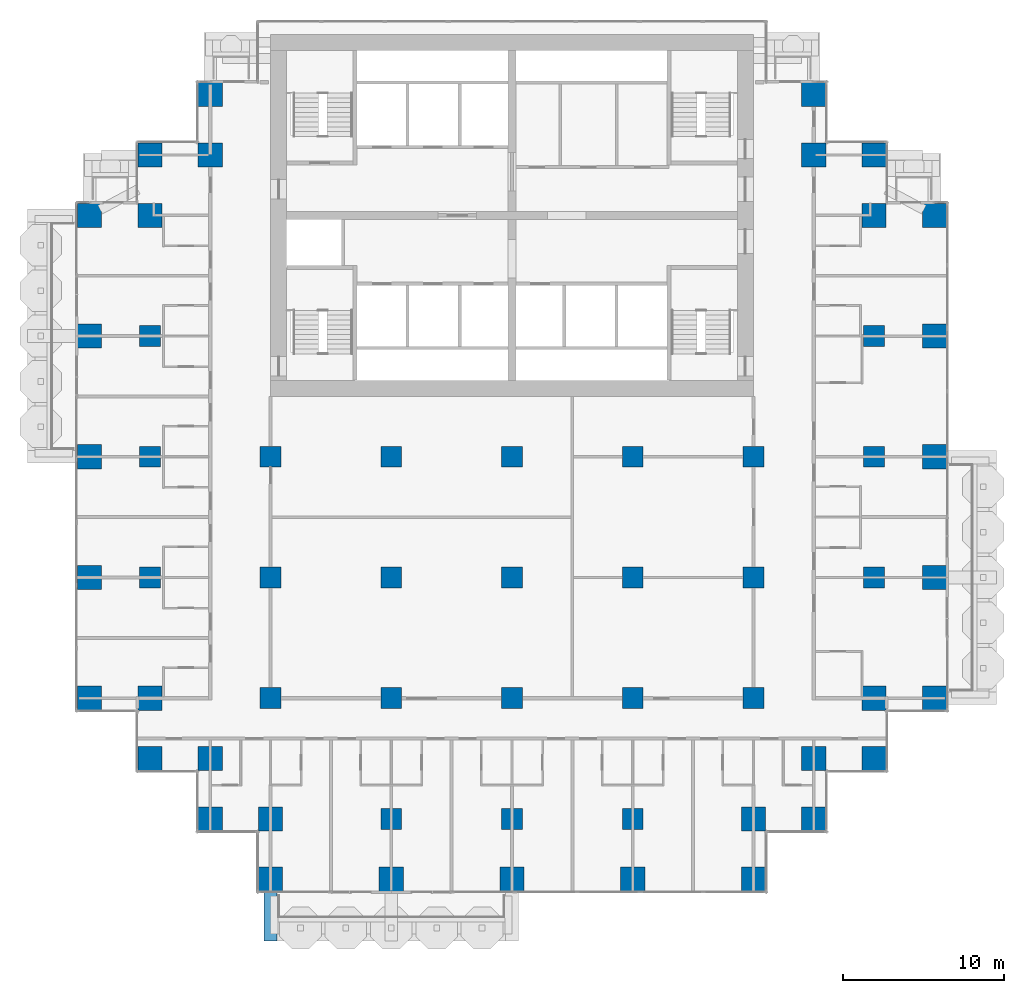
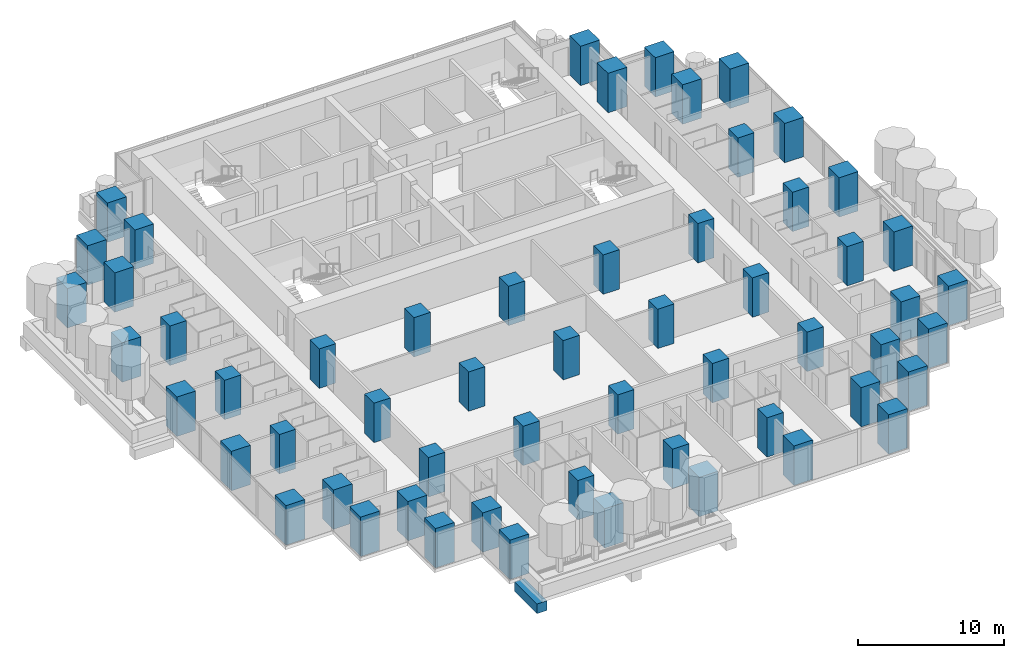
# One storey, part 1 of 19: 57 columns, 1 beam.
"""IFC4 building model written with IfcOpenShell, lengths in metres."""

from ifc_helpers import new_model, si_unit, direction, frame, origin, origin_2d, place, context, subcontext, project, spatial, rectangle, extrude, material, material_profile, profile_set, type_object, element, save


model = new_model("IFC4")

# Units and contexts
model_context = context("Model", 3, precision=1e-05, world=origin(), true_north=direction((0.0, 1.0)))
body_context = subcontext(model_context, "Body", "Model", "MODEL_VIEW")
ifc_project = project(units=[si_unit("LENGTHUNIT", "METRE"), si_unit("AREAUNIT", "SQUARE_METRE"), si_unit("VOLUMEUNIT", "CUBIC_METRE"), si_unit("PLANEANGLEUNIT", "RADIAN"), si_unit("MASSUNIT", "GRAM", prefix="KILO")], contexts=[model_context])

# Site, building, storey
site_placement = place(None, origin())
site = spatial("IfcSite", under=ifc_project, at=site_placement, CompositionType="ELEMENT")
building_placement = place(site_placement, origin())
building = spatial("IfcBuilding", under=site, at=building_placement, Name="Pilkhan Gate Tower", CompositionType="ELEMENT")
storey_placement = place(building_placement, frame((0.0, 0.0, 62.60009765625)))
storey = spatial("IfcBuildingStorey", under=building, at=storey_placement, Name="L13", CompositionType="ELEMENT", Elevation=62.60009765625)

# Columns
ifc_material_1 = material(Name="Concrete C70/85", Category="concrete")
ifc_material_profile_1 = material_profile(ifc_material_1, rectangle(XDim=1.300048828125, YDim=1.300048828125, at=origin_2d()), Name="RC 1300x1300")
ifc_profile_set_1 = profile_set([ifc_material_profile_1], Name="Concrete C70/85")
column_type_1 = type_object("IfcColumnType", Name="Column C130 RC 1300x1300 C70/85", PredefinedType="COLUMN", material=ifc_profile_set_1)
for number, where, z_axis, x_axis, name in (
    (1, (52.5, 60.0, 0.0), (0.0, 0.0, 1.0), (1.0, 0.0, 0.0), "Column 5/F L13"),
    (2, (52.5, 67.5, 0.0), (0.0, 0.0, 1.0), (1.0, 0.0, 0.0), "Column 5/H L13"),
    (3, (52.5, 75.0, 0.0), (0.0, 0.0, 1.0), (1.0, 0.0, 0.0), "Column 5/K L13"),
    (4, (60.0, 52.5, 0.0), (0.0, 0.0, 1.0), (1.0, 0.0, 0.0), "Column 7/D L13"),
    (5, (60.0, 60.0, 0.0), (0.0, 0.0, 1.0), (1.0, 0.0, 0.0), "Column 7/F L13"),
    (6, (60.0, 67.5, 0.0), (0.0, 0.0, 1.0), (1.0, 0.0, 0.0), "Column 7/H L13"),
    (7, (67.5, 45.0, 0.0), (0.0, 0.0, 1.0), (1.0, 0.0, 0.0), "Column 9/B L13"),
    (8, (67.5, 52.5, 0.0), (0.0, 0.0, 1.0), (1.0, 0.0, 0.0), "Column 9/D L13"),
    (9, (67.5, 60.0, 0.0), (0.0, 0.0, 1.0), (1.0, 0.0, 0.0), "Column 9/F L13"),
    (10, (67.5, 67.5, 0.0), (0.0, 0.0, 1.0), (1.0, 0.0, 0.0), "Column 9/H L13"),
    (11, (75.0, 45.0, 0.0), (0.0, 0.0, 1.0), (1.0, 0.0, 0.0), "Column 11/B L13"),
    (12, (75.0, 52.5, 0.0), (0.0, 0.0, 1.0), (1.0, 0.0, 0.0), "Column 11/D L13"),
    (13, (75.0, 60.0, 0.0), (0.0, 0.0, 1.0), (1.0, 0.0, 0.0), "Column 11/F L13"),
    (14, (75.0, 67.5, 0.0), (0.0, 0.0, 1.0), (1.0, 0.0, 0.0), "Column 11/H L13"),
    (15, (82.5, 45.0, 0.0), (0.0, 0.0, 1.0), (1.0, 0.0, 0.0), "Column 13/B L13"),
    (16, (82.5, 52.5, 0.0), (0.0, 0.0, 1.0), (1.0, 0.0, 0.0), "Column 13/D L13"),
    (17, (82.5, 60.0, 0.0), (0.0, 0.0, 1.0), (1.0, 0.0, 0.0), "Column 13/F L13"),
    (18, (82.5, 67.5, 0.0), (0.0, 0.0, 1.0), (1.0, 0.0, 0.0), "Column 13/H L13"),
    (19, (90.0, 52.5, 0.0), (0.0, 0.0, 1.0), (1.0, 0.0, 0.0), "Column 15/D L13"),
    (20, (90.0, 60.0, 0.0), (0.0, 0.0, 1.0), (1.0, 0.0, 0.0), "Column 15/F L13"),
    (21, (90.0, 67.5, 0.0), (0.0, 0.0, 1.0), (1.0, 0.0, 0.0), "Column 15/H L13"),
    (22, (97.5, 60.0, 0.0), (0.0, 0.0, 1.0), (1.0, 0.0, 0.0), "Column 17/F L13"),
    (23, (97.5, 67.5, 0.0), (0.0, 0.0, 1.0), (1.0, 0.0, 0.0), "Column 17/H L13"),
    (24, (97.5, 75.0, 0.0), (0.0, 0.0, 1.0), (1.0, 0.0, 0.0), "Column 17/K L13"),
):
    element("IfcColumn", number, at=place(storey_placement, frame(where, z_axis=z_axis, x_axis=x_axis)), inside=storey, type_object=column_type_1, Name=name, PredefinedType="COLUMN", context=body_context, shape_type="SweptSolid", body=[
        extrude(rectangle(XDim=1.300048828125, YDim=1.300048828125, at=origin_2d()), origin(), (0.0, 0.0, 1.0), 3.2998046875),
    ])
ifc_material_profile_2 = material_profile(ifc_material_1, rectangle(XDim=1.5, YDim=1.5, at=origin_2d()), Name="RC 1500x1500")
ifc_profile_set_2 = profile_set([ifc_material_profile_2], Name="Concrete C70/85")
column_type_2 = type_object("IfcColumnType", Name="Column C150 RC 1500x1500 C70/85", PredefinedType="COLUMN", material=ifc_profile_set_2)
for number, where, z_axis, x_axis, name in (
    (25, (48.75, 52.5, 0.0), (0.0, 0.0, 1.0), (1.0, 0.0, 0.0), "Column 4/D L13"),
    (26, (48.75, 60.0, 0.0), (0.0, 0.0, 1.0), (1.0, 0.0, 0.0), "Column 4/F L13"),
    (27, (48.75, 67.5, 0.0), (0.0, 0.0, 1.0), (1.0, 0.0, 0.0), "Column 4/H L13"),
    (28, (48.75, 75.0, 0.0), (0.0, 0.0, 1.0), (1.0, 0.0, 0.0), "Column 4/K L13"),
    (29, (48.75, 82.5, 0.0), (0.0, 0.0, 1.0), (1.0, 0.0, 0.0), "Column 4/M L13"),
    (30, (52.5, 48.75, 0.0), (0.0, 0.0, 1.0), (1.0, 0.0, 0.0), "Column 5/C L13"),
    (31, (52.5, 52.5, 0.0), (0.0, 0.0, 1.0), (1.0, 0.0, 0.0), "Column 5/D L13"),
    (32, (52.5, 82.5, 0.0), (0.0, 0.0, 1.0), (1.0, 0.0, 0.0), "Column 5/M L13"),
    (33, (52.5, 86.25, 0.0), (0.0, 0.0, 1.0), (1.0, 0.0, 0.0), "Column 5/N L13"),
    (34, (56.25, 45.0, 0.0), (0.0, 0.0, 1.0), (1.0, 0.0, 0.0), "Column 6/B L13"),
    (35, (56.25, 48.75, 0.0), (0.0, 0.0, 1.0), (1.0, 0.0, 0.0), "Column 6/C L13"),
    (36, (56.25, 86.25, 0.0), (0.0, 0.0, 1.0), (1.0, 0.0, 0.0), "Column 6/N L13"),
    (37, (56.25, 90.0, 0.0), (0.0, 0.0, 1.0), (1.0, 0.0, 0.0), "Column 6/P L13"),
    (38, (60.0, 41.25, 0.0), (0.0, 0.0, 1.0), (1.0, 0.0, 0.0), "Column 7/A L13"),
    (39, (60.0, 45.0, 0.0), (0.0, 0.0, 1.0), (1.0, 0.0, 0.0), "Column 7/B L13"),
    (40, (67.5, 41.25, 0.0), (0.0, 0.0, 1.0), (1.0, 0.0, 0.0), "Column 9/A L13"),
    (41, (75.0, 41.25, 0.0), (0.0, 0.0, 1.0), (1.0, 0.0, 0.0), "Column 11/A L13"),
    (42, (82.5, 41.25, 0.0), (0.0, 0.0, 1.0), (1.0, 0.0, 0.0), "Column 13/A L13"),
    (43, (90.0, 41.25, 0.0), (0.0, 0.0, 1.0), (1.0, 0.0, 0.0), "Column 15/A L13"),
    (44, (90.0, 45.0, 0.0), (0.0, 0.0, 1.0), (1.0, 0.0, 0.0), "Column 15/B L13"),
    (45, (93.75, 45.0, 0.0), (0.0, 0.0, 1.0), (1.0, 0.0, 0.0), "Column 16/B L13"),
    (46, (93.75, 48.75, 0.0), (0.0, 0.0, 1.0), (1.0, 0.0, 0.0), "Column 16/C L13"),
    (47, (93.75, 86.25, 0.0), (0.0, 0.0, 1.0), (1.0, 0.0, 0.0), "Column 16/N L13"),
    (48, (93.75, 90.0, 0.0), (0.0, 0.0, 1.0), (1.0, 0.0, 0.0), "Column 16/P L13"),
    (49, (97.5, 48.75, 0.0), (0.0, 0.0, 1.0), (1.0, 0.0, 0.0), "Column 17/C L13"),
    (50, (97.5, 52.5, 0.0), (0.0, 0.0, 1.0), (1.0, 0.0, 0.0), "Column 17/D L13"),
    (51, (97.5, 82.5, 0.0), (0.0, 0.0, 1.0), (1.0, 0.0, 0.0), "Column 17/M L13"),
    (52, (97.5, 86.25, 0.0), (0.0, 0.0, 1.0), (1.0, 0.0, 0.0), "Column 17/N L13"),
    (53, (101.25, 52.5, 0.0), (0.0, 0.0, 1.0), (1.0, 0.0, 0.0), "Column 18/D L13"),
    (54, (101.25, 60.0, 0.0), (0.0, 0.0, 1.0), (1.0, 0.0, 0.0), "Column 18/F L13"),
    (55, (101.25, 67.5, 0.0), (0.0, 0.0, 1.0), (1.0, 0.0, 0.0), "Column 18/H L13"),
    (56, (101.25, 75.0, 0.0), (0.0, 0.0, 1.0), (1.0, 0.0, 0.0), "Column 18/K L13"),
    (57, (101.25, 82.5, 0.0), (0.0, 0.0, 1.0), (1.0, 0.0, 0.0), "Column 18/M L13"),
):
    element("IfcColumn", number, at=place(storey_placement, frame(where, z_axis=z_axis, x_axis=x_axis)), inside=storey, type_object=column_type_2, Name=name, PredefinedType="COLUMN", context=body_context, shape_type="SweptSolid", body=[
        extrude(rectangle(XDim=1.5, YDim=1.5, at=origin_2d()), origin(), (0.0, 0.0, 1.0), 3.2998046875),
    ])

# Beam
ifc_material_2 = material(Name="Concrete C50/60", Category="concrete")
ifc_material_profile_3 = material_profile(ifc_material_2, rectangle(XDim=0.800048828125, YDim=0.800048828125, at=origin_2d()), Name="RC 800x800")
ifc_profile_set_3 = profile_set([ifc_material_profile_3], Name="Concrete C50/60")
beam_type = type_object("IfcBeamType", Name="Cantilever beam CB2 RC 800x800 C50/60", PredefinedType="BEAM", material=ifc_profile_set_3)
beam_placement = place(storey_placement, frame((60.0, 40.5, -0.7001953125), z_axis=(0.0, -1.0, 0.0), x_axis=(1.0, 0.0, 0.0)))
element("IfcBeam", 58, at=beam_placement, inside=storey, type_object=beam_type, Name="Balcony beam S.1 L13", PredefinedType="BEAM", context=body_context, shape_type="SweptSolid", body=[
    extrude(rectangle(XDim=0.800048828125, YDim=0.800048828125, at=origin_2d()), origin(), (0.0, 0.0, 1.0), 3.10009765625),
])

save(model, "model.ifc")
